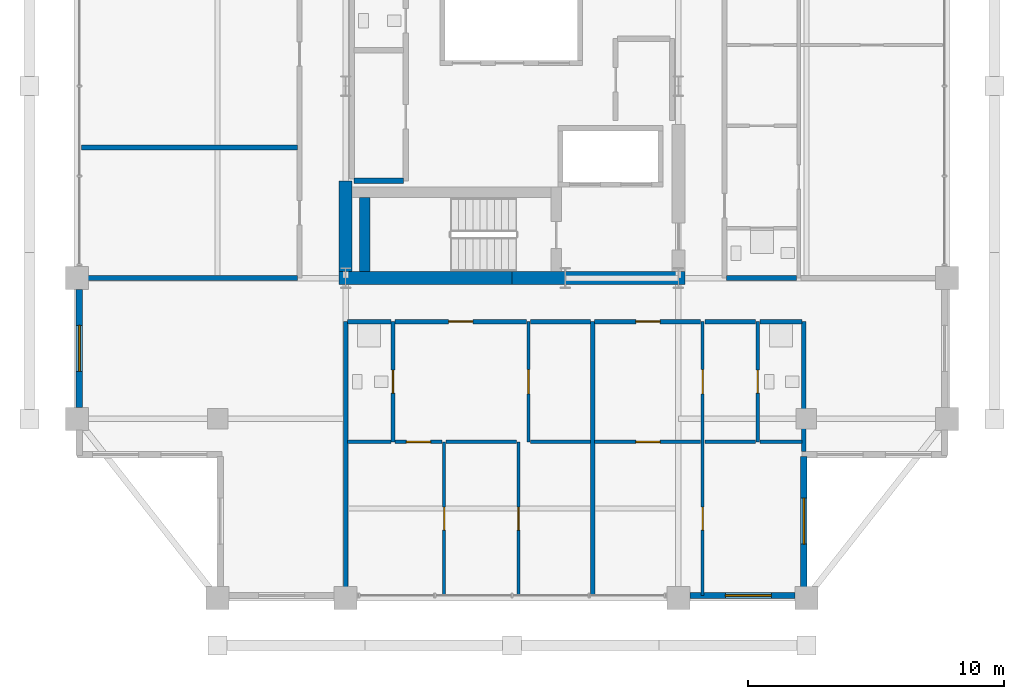
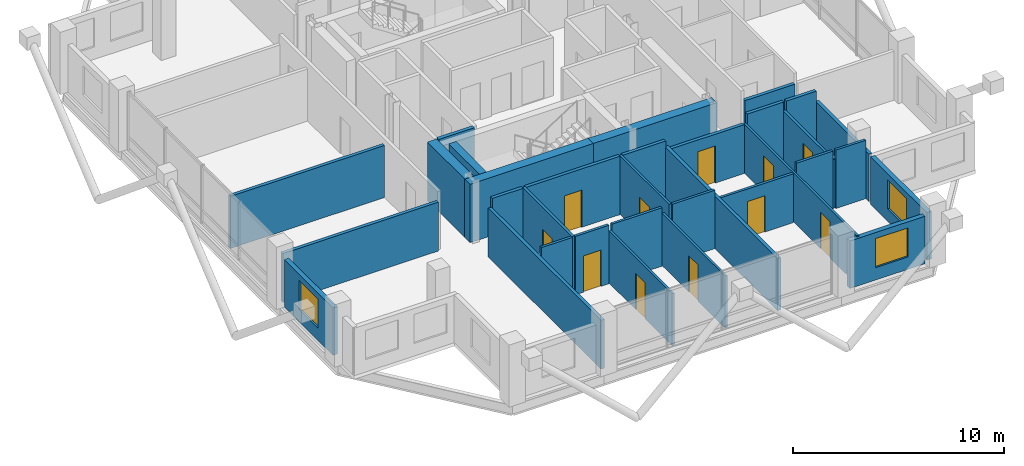
# One storey, part 18 of 23: 33 walls, 11 doors, 3 windows, 14 openings.
"""IFC4 building model written with IfcOpenShell, lengths in metres."""

from ifc_helpers import new_model, si_unit, direction, frame, frame_2d, origin, place, context, subcontext, project, spatial, rectangle, extrude, material, layer, layer_set, type_object, element, fill, save


model = new_model("IFC4")

# Units and contexts
model_context = context("Model", 3, precision=1e-05, world=origin(), true_north=direction((0.0, 1.0)))
body_context = subcontext(model_context, "Body", "Model", "MODEL_VIEW")
ifc_project = project(units=[si_unit("LENGTHUNIT", "METRE"), si_unit("AREAUNIT", "SQUARE_METRE"), si_unit("VOLUMEUNIT", "CUBIC_METRE"), si_unit("PLANEANGLEUNIT", "RADIAN"), si_unit("MASSUNIT", "GRAM", prefix="KILO")], contexts=[model_context])

# Site, building, storey
site_placement = place(None, origin())
site = spatial("IfcSite", under=ifc_project, at=site_placement, CompositionType="ELEMENT")
building_placement = place(site_placement, origin())
building = spatial("IfcBuilding", under=site, at=building_placement, Name="Barlavira Tower and Art Museum", CompositionType="ELEMENT")
storey_placement = place(building_placement, frame((0.0, 0.0, 236.699951171875)))
storey = spatial("IfcBuildingStorey", under=building, at=storey_placement, Name="L61", CompositionType="ELEMENT", Elevation=236.699951171875)

# Wall, opening, door
ifc_material_1 = material(Name="Gypsum acoustic stud partition", Category="gypsum")
ifc_layer_1 = layer(ifc_material_1, 0.1201171875, Name="Gypsum acoustic stud partition")
ifc_layer_set_1 = layer_set([ifc_layer_1], Name="Gypsum acoustic stud partition")
wall_type_1 = type_object("IfcWallType", Name="Apartment Internal Acoustic Partition 120", PredefinedType="PARTITIONING", material=ifc_layer_set_1)
wall_1_placement = place(storey_placement, frame((-2.64990234375, -19.89990234375, 0.0), z_axis=(0.0, 0.0, 1.0), x_axis=(0.0, 1.0, 0.0)))
wall_1 = element("IfcWall", 1, at=wall_1_placement, inside=storey, type_object=wall_type_1, Name="L61 Partition Wall 9", PredefinedType="PARTITIONING", context=body_context, shape_type="SweptSolid", body=[
    extrude(rectangle(XDim=6.0, YDim=0.1201171875, at=frame_2d((3.0, 0.0))), origin(), (0.0, 0.0, 1.0), 3.01806640625),
])
opening_1_placement = place(wall_1_placement, frame((2.550048828125, 0.0, 0.0)))
opening_1 = element("IfcOpeningElement", 2, at=opening_1_placement, cuts=wall_1, Name="Opening D-01", PredefinedType="OPENING", context=body_context, shape_type="SweptSolid", body=[
    extrude(rectangle(XDim=0.89990234375, YDim=2.10009765625, at=frame_2d((0.449951171875, 1.050048828125))), frame((0.0, 0.070068359375, 0.0), z_axis=(0.0, -1.0, 0.0), x_axis=(1.0, 0.0, 0.0)), (0.0, 0.0, 1.0), 0.14013671875),
])
ifc_material_2 = material(Name="Engineered coastal hardwood", Category="wood")
door_type_1 = type_object("IfcDoorType", Name="Internal Bedroom Timber Flush Door 900x2100", OperationType="NOTDEFINED", PredefinedType="DOOR", material=ifc_material_2)
door_1_placement = place(opening_1_placement, origin())
door_1 = element("IfcDoor", 3, at=door_1_placement, inside=storey, type_object=door_type_1, Name="Apartment S1 Bedroom 1 Door", OperationType="SINGLE_SWING_RIGHT", OverallHeight=2.10009765625, OverallWidth=0.89990234375, PredefinedType="DOOR", context=body_context, shape_type="SweptSolid", body=[
    extrude(rectangle(XDim=0.89990234375, YDim=2.10009765625, at=frame_2d((0.449951171875, 1.050048828125))), frame((0.0, 0.02490234375, 0.0), z_axis=(0.0, -1.0, 0.0), x_axis=(1.0, 0.0, 0.0)), (0.0, 0.0, 1.0), 0.050048828125),
])
fill(opening_1, door_1)

wall_2_placement = place(storey_placement, frame((0.25, -19.89990234375, 0.0), z_axis=(0.0, 0.0, 1.0), x_axis=(0.0, 1.0, 0.0)))
wall_2 = element("IfcWall", 4, at=wall_2_placement, inside=storey, type_object=wall_type_1, Name="L61 Partition Wall 11", PredefinedType="PARTITIONING", context=body_context, shape_type="SweptSolid", body=[
    extrude(rectangle(XDim=6.0, YDim=0.1201171875, at=frame_2d((3.0, 0.0))), origin(), (0.0, 0.0, 1.0), 3.01806640625),
])
opening_2_placement = place(wall_2_placement, frame((2.550048828125, 0.0, 0.0)))
opening_2 = element("IfcOpeningElement", 5, at=opening_2_placement, cuts=wall_2, Name="Opening D-01", PredefinedType="OPENING", context=body_context, shape_type="SweptSolid", body=[
    extrude(rectangle(XDim=0.89990234375, YDim=2.10009765625, at=frame_2d((0.449951171875, 1.050048828125))), frame((0.0, 0.070068359375, 0.0), z_axis=(0.0, -1.0, 0.0), x_axis=(1.0, 0.0, 0.0)), (0.0, 0.0, 1.0), 0.14013671875),
])
door_2_placement = place(opening_2_placement, origin())
door_2 = element("IfcDoor", 6, at=door_2_placement, inside=storey, type_object=door_type_1, Name="Apartment S1 Bedroom 2 Door", OperationType="SINGLE_SWING_LEFT", OverallHeight=2.10009765625, OverallWidth=0.89990234375, PredefinedType="DOOR", context=body_context, shape_type="SweptSolid", body=[
    extrude(rectangle(XDim=0.89990234375, YDim=2.10009765625, at=frame_2d((0.449951171875, 1.050048828125))), frame((0.0, 0.02490234375, 0.0), z_axis=(0.0, -1.0, 0.0), x_axis=(1.0, 0.0, 0.0)), (0.0, 0.0, 1.0), 0.050048828125),
])
fill(opening_2, door_2)

wall_3_placement = place(storey_placement, frame((0.64990234375, -13.89990234375, 0.0), z_axis=(0.0, 0.0, 1.0), x_axis=(0.0, 1.0, 0.0)))
wall_3 = element("IfcWall", 7, at=wall_3_placement, inside=storey, type_object=wall_type_1, Name="L61 Partition Wall 13", PredefinedType="PARTITIONING", context=body_context, shape_type="SweptSolid", body=[
    extrude(rectangle(XDim=4.699951171875, YDim=0.1201171875, at=frame_2d((2.35009765625, 0.0))), origin(), (0.0, 0.0, 1.0), 3.380126953125),
])
opening_3_placement = place(wall_3_placement, frame((1.875, 0.0, 0.0)))
opening_3 = element("IfcOpeningElement", 8, at=opening_3_placement, cuts=wall_3, Name="Opening D-02", PredefinedType="OPENING", context=body_context, shape_type="SweptSolid", body=[
    extrude(rectangle(XDim=0.949951171875, YDim=2.10009765625, at=frame_2d((0.47509765625, 1.050048828125))), frame((0.0, 0.070068359375, 0.0), z_axis=(0.0, -1.0, 0.0), x_axis=(1.0, 0.0, 0.0)), (0.0, 0.0, 1.0), 0.14013671875),
])
door_type_2 = type_object("IfcDoorType", Name="Living and Salon Glazed-Leaf Door 950x2100", OperationType="NOTDEFINED", PredefinedType="DOOR", material=ifc_material_2)
door_3_placement = place(opening_3_placement, origin())
door_3 = element("IfcDoor", 9, at=door_3_placement, inside=storey, type_object=door_type_2, Name="Apartment S1 Kitchen Door", OperationType="SINGLE_SWING_RIGHT", OverallHeight=2.10009765625, OverallWidth=0.949951171875, PredefinedType="DOOR", context=body_context, shape_type="SweptSolid", body=[
    extrude(rectangle(XDim=0.949951171875, YDim=2.10009765625, at=frame_2d((0.47509765625, 1.050048828125))), frame((0.0, 0.02490234375, 0.0), z_axis=(0.0, -1.0, 0.0), x_axis=(1.0, 0.0, 0.0)), (0.0, 0.0, 1.0), 0.050048828125),
])
fill(opening_3, door_3)

# Wall, openings, doors
wall_4_placement = place(storey_placement, frame((7.449951171875, -19.89990234375, 0.0), z_axis=(0.0, 0.0, 1.0), x_axis=(0.0, 1.0, 0.0)))
wall_4 = element("IfcWall", 10, at=wall_4_placement, inside=storey, type_object=wall_type_1, Name="L61 Partition Wall 20", PredefinedType="PARTITIONING", context=body_context, shape_type="SweptSolid", body=[
    extrude(rectangle(XDim=10.699951171875, YDim=0.1201171875, at=frame_2d((5.35009765625, 0.0))), origin(), (0.0, 0.0, 1.0), 2.825927734375),
])
opening_4_placement = place(wall_4_placement, frame((7.875, 0.0, 0.0)))
opening_4 = element("IfcOpeningElement", 11, at=opening_4_placement, cuts=wall_4, Name="Opening D-02", PredefinedType="OPENING", context=body_context, shape_type="SweptSolid", body=[
    extrude(rectangle(XDim=0.949951171875, YDim=2.10009765625, at=frame_2d((0.47509765625, 1.050048828125))), frame((0.0, 0.070068359375, 0.0), z_axis=(0.0, -1.0, 0.0), x_axis=(1.0, 0.0, 0.0)), (0.0, 0.0, 1.0), 0.14013671875),
])
opening_5_placement = place(wall_4_placement, frame((2.550048828125, 0.0, 0.0)))
opening_5 = element("IfcOpeningElement", 12, at=opening_5_placement, cuts=wall_4, Name="Opening D-01", PredefinedType="OPENING", context=body_context, shape_type="SweptSolid", body=[
    extrude(rectangle(XDim=0.89990234375, YDim=2.10009765625, at=frame_2d((0.449951171875, 1.050048828125))), frame((0.0, 0.070068359375, 0.0), z_axis=(0.0, -1.0, 0.0), x_axis=(1.0, 0.0, 0.0)), (0.0, 0.0, 1.0), 0.14013671875),
])
door_4_placement = place(opening_5_placement, origin())
door_4 = element("IfcDoor", 13, at=door_4_placement, inside=storey, type_object=door_type_1, Name="Apartment S2 Bedroom 1 Door", OperationType="SINGLE_SWING_RIGHT", OverallHeight=2.10009765625, OverallWidth=0.89990234375, PredefinedType="DOOR", context=body_context, shape_type="SweptSolid", body=[
    extrude(rectangle(XDim=0.89990234375, YDim=2.10009765625, at=frame_2d((0.449951171875, 1.050048828125))), frame((0.0, 0.02490234375, 0.0), z_axis=(0.0, -1.0, 0.0), x_axis=(1.0, 0.0, 0.0)), (0.0, 0.0, 1.0), 0.050048828125),
])
fill(opening_5, door_4)
door_5_placement = place(opening_4_placement, origin())
door_5 = element("IfcDoor", 14, at=door_5_placement, inside=storey, type_object=door_type_2, Name="Apartment S2 Kitchen Door", OperationType="SINGLE_SWING_LEFT", OverallHeight=2.10009765625, OverallWidth=0.949951171875, PredefinedType="DOOR", context=body_context, shape_type="SweptSolid", body=[
    extrude(rectangle(XDim=0.949951171875, YDim=2.10009765625, at=frame_2d((0.47509765625, 1.050048828125))), frame((0.0, 0.02490234375, 0.0), z_axis=(0.0, -1.0, 0.0), x_axis=(1.0, 0.0, 0.0)), (0.0, 0.0, 1.0), 0.050048828125),
])
fill(opening_4, door_5)

# Walls
ifc_material_3 = material(Name="Concrete C60", Category="concrete")
ifc_layer_2 = layer(ifc_material_3, 0.5, Name="Concrete C60")
ifc_layer_set_2 = layer_set([ifc_layer_2], Name="Concrete C60")
wall_type_2 = type_object("IfcWallType", Name="Core Structural Shear Wall 500 Concrete C60", PredefinedType="SHEAR", material=ifc_layer_set_2)
for number, where, z_axis, x_axis, name in (
    (15, (-6.75, -7.5, 0.0), (0.0, 0.0, 1.0), (1.0, 0.0, 0.0), "L61 Core Shear Wall CS-SW"),
    (16, (0.0, -7.5, 0.0), (0.0, 0.0, 1.0), (1.0, 0.0, 0.0), "L61 Core Shear Wall CS-SE"),
):
    element("IfcWall", number, at=place(storey_placement, frame(where, z_axis=z_axis, x_axis=x_axis)), inside=storey, type_object=wall_type_2, Name=name, PredefinedType="SHEAR", context=body_context, shape_type="SweptSolid", body=[
        extrude(rectangle(XDim=6.75, YDim=0.5, at=frame_2d((3.375, 0.0))), origin(), (0.0, 0.0, 1.0), 3.380126953125),
    ])
wall_5_placement = place(storey_placement, frame((-6.5, -7.25, 0.0), z_axis=(0.0, 0.0, 1.0), x_axis=(0.0, 1.0, 0.0)))
element("IfcWall", 17, at=wall_5_placement, inside=storey, type_object=wall_type_2, Name="L61 Core Shear Wall CS-W1", PredefinedType="SHEAR", context=body_context, shape_type="SweptSolid", body=[
    extrude(rectangle(XDim=3.550048828125, YDim=0.5, at=frame_2d((1.77490234375, 0.0))), origin(), (0.0, 0.0, 1.0), 3.380126953125),
])
ifc_material_4 = material(Name="Autoclaved aerated concrete masonry", Category="masonry")
ifc_layer_3 = layer(ifc_material_4, 0.199951171875, Name="Autoclaved aerated concrete masonry")
ifc_layer_set_3 = layer_set([ifc_layer_3], Name="Autoclaved aerated concrete masonry")
wall_type_3 = type_object("IfcWallType", Name="Fire Compartment and Shaft Wall 200", PredefinedType="SOLIDWALL", material=ifc_layer_set_3)
wall_6_placement = place(storey_placement, frame((-6.169921875, -3.699951171875, 0.0), z_axis=(0.0, 0.0, 1.0), x_axis=(1.0, 0.0, 0.0)))
element("IfcWall", 18, at=wall_6_placement, inside=storey, type_object=wall_type_3, Name="L61 Partition Wall 44", PredefinedType="SOLIDWALL", context=body_context, shape_type="SweptSolid", body=[
    extrude(rectangle(XDim=1.93994140625, YDim=0.199951171875, at=frame_2d((0.969970703125, 0.0))), origin(), (0.0, 0.0, 1.0), 3.380126953125),
])
ifc_layer_4 = layer(ifc_material_1, 0.179931640625, Name="Gypsum acoustic stud partition")
ifc_layer_set_4 = layer_set([ifc_layer_4], Name="Gypsum acoustic stud partition")
wall_type_4 = type_object("IfcWallType", Name="Inter-Tenancy Party Partition Wall 180", PredefinedType="PARTITIONING", material=ifc_layer_set_4)
wall_7_placement = place(storey_placement, frame((-6.5, -19.89990234375, 0.0), z_axis=(0.0, 0.0, 1.0), x_axis=(0.0, 1.0, 0.0)))
element("IfcWall", 19, at=wall_7_placement, inside=storey, type_object=wall_type_4, Name="L61 Partition Wall 2", PredefinedType="PARTITIONING", context=body_context, shape_type="SweptSolid", body=[
    extrude(rectangle(XDim=10.699951171875, YDim=0.179931640625, at=frame_2d((5.35009765625, 0.0))), origin(), (0.0, 0.0, 1.0), 2.825927734375),
])
wall_8_placement = place(storey_placement, frame((3.14990234375, -19.89990234375, 0.0), z_axis=(0.0, 0.0, 1.0), x_axis=(0.0, 1.0, 0.0)))
element("IfcWall", 20, at=wall_8_placement, inside=storey, type_object=wall_type_4, Name="L61 Partition Wall 15", PredefinedType="PARTITIONING", context=body_context, shape_type="SweptSolid", body=[
    extrude(rectangle(XDim=10.699951171875, YDim=0.179931640625, at=frame_2d((5.35009765625, 0.0))), origin(), (0.0, 0.0, 1.0), 3.01806640625),
])
wall_9_placement = place(storey_placement, frame((11.39990234375, -14.27001953125, 0.0), z_axis=(0.0, 0.0, 1.0), x_axis=(0.0, 1.0, 0.0)))
element("IfcWall", 21, at=wall_9_placement, inside=storey, type_object=wall_type_4, Name="L61 Partition Wall 25", PredefinedType="PARTITIONING", context=body_context, shape_type="SweptSolid", body=[
    extrude(rectangle(XDim=5.070068359375, YDim=0.179931640625, at=frame_2d((2.53515625, 0.0))), origin(), (0.0, 0.0, 1.0), 2.748046875),
])
wall_10_placement = place(storey_placement, frame((-6.419921875, -9.199951171875, 0.0), z_axis=(0.0, 0.0, 1.0), x_axis=(1.0, 0.0, 0.0)))
element("IfcWall", 22, at=wall_10_placement, inside=storey, type_object=wall_type_4, Name="L61 Partition Wall 34", PredefinedType="PARTITIONING", context=body_context, shape_type="SweptSolid", body=[
    extrude(rectangle(XDim=1.68994140625, YDim=0.179931640625, at=frame_2d((0.844970703125, 0.0))), origin(), (0.0, 0.0, 1.0), 3.380126953125),
])

# Wall, opening, door
wall_11_placement = place(storey_placement, frame((-4.570068359375, -9.199951171875, 0.0), z_axis=(0.0, 0.0, 1.0), x_axis=(1.0, 0.0, 0.0)))
wall_11 = element("IfcWall", 23, at=wall_11_placement, inside=storey, type_object=wall_type_4, Name="L61 Partition Wall 35", PredefinedType="PARTITIONING", context=body_context, shape_type="SweptSolid", body=[
    extrude(rectangle(XDim=5.14013671875, YDim=0.179931640625, at=frame_2d((2.570068359375, 0.0))), origin(), (0.0, 0.0, 1.0), 3.380126953125),
])
opening_6_placement = place(wall_11_placement, frame((2.094970703125, 0.0, 0.0)))
opening_6 = element("IfcOpeningElement", 24, at=opening_6_placement, cuts=wall_11, Name="Opening FD-60", PredefinedType="OPENING", context=body_context, shape_type="SweptSolid", body=[
    extrude(rectangle(XDim=0.949951171875, YDim=2.14990234375, at=frame_2d((0.47509765625, 1.074951171875))), frame((0.0, 0.10009765625, 0.0), z_axis=(0.0, -1.0, 0.0), x_axis=(1.0, 0.0, 0.0)), (0.0, 0.0, 1.0), 0.199951171875),
])
ifc_material_5 = material(Name="Brushed stainless steel", Category="steel")
door_type_3 = type_object("IfcDoorType", Name="Apartment Entrance and Riser Fire Door 950x2150 FD60S", OperationType="NOTDEFINED", PredefinedType="DOOR", material=ifc_material_5)
door_6_placement = place(opening_6_placement, origin())
door_6 = element("IfcDoor", 25, at=door_6_placement, inside=storey, type_object=door_type_3, Name="Apartment Entrance Hall S1 Door", OperationType="SINGLE_SWING_LEFT", OverallHeight=2.14990234375, OverallWidth=0.949951171875, PredefinedType="DOOR", context=body_context, shape_type="SweptSolid", body=[
    extrude(rectangle(XDim=0.949951171875, YDim=2.14990234375, at=frame_2d((0.47509765625, 1.074951171875))), frame((0.0, 0.02490234375, 0.0), z_axis=(0.0, -1.0, 0.0), x_axis=(1.0, 0.0, 0.0)), (0.0, 0.0, 1.0), 0.050048828125),
])
fill(opening_6, door_6)

# Wall
wall_12_placement = place(storey_placement, frame((0.72998046875, -9.199951171875, 0.0), z_axis=(0.0, 0.0, 1.0), x_axis=(1.0, 0.0, 0.0)))
element("IfcWall", 26, at=wall_12_placement, inside=storey, type_object=wall_type_4, Name="L61 Partition Wall 36", PredefinedType="PARTITIONING", context=body_context, shape_type="SweptSolid", body=[
    extrude(rectangle(XDim=2.340087890625, YDim=0.179931640625, at=frame_2d((1.169921875, 0.0))), origin(), (0.0, 0.0, 1.0), 3.380126953125),
])

# Wall, opening, door
wall_13_placement = place(storey_placement, frame((3.22998046875, -9.199951171875, 0.0), z_axis=(0.0, 0.0, 1.0), x_axis=(1.0, 0.0, 0.0)))
wall_13 = element("IfcWall", 27, at=wall_13_placement, inside=storey, type_object=wall_type_4, Name="L61 Partition Wall 37", PredefinedType="PARTITIONING", context=body_context, shape_type="SweptSolid", body=[
    extrude(rectangle(XDim=4.14013671875, YDim=0.179931640625, at=frame_2d((2.070068359375, 0.0))), origin(), (0.0, 0.0, 1.0), 2.825927734375),
])
opening_7_placement = place(wall_13_placement, frame((1.60498046875, 0.0, 0.0)))
opening_7 = element("IfcOpeningElement", 28, at=opening_7_placement, cuts=wall_13, Name="Opening FD-60", PredefinedType="OPENING", context=body_context, shape_type="SweptSolid", body=[
    extrude(rectangle(XDim=0.949951171875, YDim=2.14990234375, at=frame_2d((0.47509765625, 1.074951171875))), frame((0.0, 0.10009765625, 0.0), z_axis=(0.0, -1.0, 0.0), x_axis=(1.0, 0.0, 0.0)), (0.0, 0.0, 1.0), 0.199951171875),
])
door_7_placement = place(opening_7_placement, origin())
door_7 = element("IfcDoor", 29, at=door_7_placement, inside=storey, type_object=door_type_3, Name="Apartment Entrance Hall S2 Door", OperationType="SINGLE_SWING_RIGHT", OverallHeight=2.14990234375, OverallWidth=0.949951171875, PredefinedType="DOOR", context=body_context, shape_type="SweptSolid", body=[
    extrude(rectangle(XDim=0.949951171875, YDim=2.14990234375, at=frame_2d((0.47509765625, 1.074951171875))), frame((0.0, 0.02490234375, 0.0), z_axis=(0.0, -1.0, 0.0), x_axis=(1.0, 0.0, 0.0)), (0.0, 0.0, 1.0), 0.050048828125),
])
fill(opening_7, door_7)

# Walls
wall_14_placement = place(storey_placement, frame((7.530029296875, -9.199951171875, 0.0), z_axis=(0.0, 0.0, 1.0), x_axis=(1.0, 0.0, 0.0)))
element("IfcWall", 30, at=wall_14_placement, inside=storey, type_object=wall_type_4, Name="L61 Partition Wall 38", PredefinedType="PARTITIONING", context=body_context, shape_type="SweptSolid", body=[
    extrude(rectangle(XDim=1.989990234375, YDim=0.179931640625, at=frame_2d((0.9951171875, 0.0))), origin(), (0.0, 0.0, 1.0), 3.380126953125),
])
wall_15_placement = place(storey_placement, frame((9.679931640625, -9.199951171875, 0.0), z_axis=(0.0, 0.0, 1.0), x_axis=(1.0, 0.0, 0.0)))
element("IfcWall", 31, at=wall_15_placement, inside=storey, type_object=wall_type_4, Name="L61 Partition Wall 39", PredefinedType="PARTITIONING", context=body_context, shape_type="SweptSolid", body=[
    extrude(rectangle(XDim=1.64013671875, YDim=0.179931640625, at=frame_2d((0.820068359375, 0.0))), origin(), (0.0, 0.0, 1.0), 3.380126953125),
])
wall_16_placement = place(storey_placement, frame((-16.89990234375, -7.5, 0.0), z_axis=(0.0, 0.0, 1.0), x_axis=(1.0, 0.0, 0.0)))
element("IfcWall", 32, at=wall_16_placement, inside=storey, type_object=wall_type_4, Name="L61 Partition Wall 40", PredefinedType="PARTITIONING", context=body_context, shape_type="SweptSolid", body=[
    extrude(rectangle(XDim=8.52001953125, YDim=0.179931640625, at=frame_2d((4.260009765625, 0.0))), origin(), (0.0, 0.0, 1.0), 2.825927734375),
])
wall_17_placement = place(storey_placement, frame((8.3798828125, -7.5, 0.0), z_axis=(0.0, 0.0, 1.0), x_axis=(1.0, 0.0, 0.0)))
element("IfcWall", 33, at=wall_17_placement, inside=storey, type_object=wall_type_4, Name="L61 Partition Wall 41", PredefinedType="PARTITIONING", context=body_context, shape_type="SweptSolid", body=[
    extrude(rectangle(XDim=2.740234375, YDim=0.179931640625, at=frame_2d((1.3701171875, 0.0))), origin(), (0.0, 0.0, 1.0), 2.825927734375),
])
wall_18_placement = place(storey_placement, frame((-16.820068359375, -2.39990234375, 0.0), z_axis=(0.0, 0.0, 1.0), x_axis=(1.0, 0.0, 0.0)))
element("IfcWall", 34, at=wall_18_placement, inside=storey, type_object=wall_type_4, Name="L61 Partition Wall 45", PredefinedType="PARTITIONING", context=body_context, shape_type="SweptSolid", body=[
    extrude(rectangle(XDim=8.440185546875, YDim=0.179931640625, at=frame_2d((4.22021484375, 0.0))), origin(), (0.0, 0.0, 1.0), 3.01806640625),
])

# Wall, opening, door
ifc_layer_5 = layer(ifc_material_1, 0.139892578125, Name="Gypsum acoustic stud partition")
ifc_layer_set_5 = layer_set([ifc_layer_5], Name="Gypsum acoustic stud partition")
wall_type_5 = type_object("IfcWallType", Name="Moisture-Resistant Bathroom Partition 140", PredefinedType="PARTITIONING", material=ifc_layer_set_5)
wall_19_placement = place(storey_placement, frame((-4.64990234375, -13.89990234375, 0.0), z_axis=(0.0, 0.0, 1.0), x_axis=(0.0, 1.0, 0.0)))
wall_19 = element("IfcWall", 35, at=wall_19_placement, inside=storey, type_object=wall_type_5, Name="L61 Partition Wall 6", PredefinedType="PARTITIONING", context=body_context, shape_type="SweptSolid", body=[
    extrude(rectangle(XDim=4.699951171875, YDim=0.139892578125, at=frame_2d((2.35009765625, 0.0))), origin(), (0.0, 0.0, 1.0), 3.380126953125),
])
opening_8_placement = place(wall_19_placement, frame((1.89990234375, 0.0, 0.0)))
opening_8 = element("IfcOpeningElement", 36, at=opening_8_placement, cuts=wall_19, Name="Opening D-WC", PredefinedType="OPENING", context=body_context, shape_type="SweptSolid", body=[
    extrude(rectangle(XDim=0.89990234375, YDim=2.10009765625, at=frame_2d((0.449951171875, 1.050048828125))), frame((0.0, 0.080078125, 0.0), z_axis=(0.0, -1.0, 0.0), x_axis=(1.0, 0.0, 0.0)), (0.0, 0.0, 1.0), 0.159912109375),
])
door_type_4 = type_object("IfcDoorType", Name="Accessible Bathroom Flush Door 900x2100", OperationType="NOTDEFINED", PredefinedType="DOOR", material=ifc_material_2)
door_8_placement = place(opening_8_placement, origin())
door_8 = element("IfcDoor", 37, at=door_8_placement, inside=storey, type_object=door_type_4, Name="Apartment S1 Hall Bathroom Door", OperationType="SINGLE_SWING_RIGHT", OverallHeight=2.10009765625, OverallWidth=0.89990234375, PredefinedType="DOOR", context=body_context, shape_type="SweptSolid", body=[
    extrude(rectangle(XDim=0.89990234375, YDim=2.10009765625, at=frame_2d((0.449951171875, 1.050048828125))), frame((0.0, 0.02490234375, 0.0), z_axis=(0.0, -1.0, 0.0), x_axis=(1.0, 0.0, 0.0)), (0.0, 0.0, 1.0), 0.050048828125),
])
fill(opening_8, door_8)

wall_20_placement = place(storey_placement, frame((9.60009765625, -13.89990234375, 0.0), z_axis=(0.0, 0.0, 1.0), x_axis=(0.0, 1.0, 0.0)))
wall_20 = element("IfcWall", 38, at=wall_20_placement, inside=storey, type_object=wall_type_5, Name="L61 Partition Wall 22", PredefinedType="PARTITIONING", context=body_context, shape_type="SweptSolid", body=[
    extrude(rectangle(XDim=4.699951171875, YDim=0.139892578125, at=frame_2d((2.35009765625, 0.0))), origin(), (0.0, 0.0, 1.0), 2.825927734375),
])
opening_9_placement = place(wall_20_placement, frame((1.89990234375, 0.0, 0.0)))
opening_9 = element("IfcOpeningElement", 39, at=opening_9_placement, cuts=wall_20, Name="Opening D-WC", PredefinedType="OPENING", context=body_context, shape_type="SweptSolid", body=[
    extrude(rectangle(XDim=0.89990234375, YDim=2.10009765625, at=frame_2d((0.449951171875, 1.050048828125))), frame((0.0, 0.080078125, 0.0), z_axis=(0.0, -1.0, 0.0), x_axis=(1.0, 0.0, 0.0)), (0.0, 0.0, 1.0), 0.159912109375),
])
door_9_placement = place(opening_9_placement, origin())
door_9 = element("IfcDoor", 40, at=door_9_placement, inside=storey, type_object=door_type_4, Name="Apartment S2 Hall Bathroom Door", OperationType="SINGLE_SWING_RIGHT", OverallHeight=2.10009765625, OverallWidth=0.89990234375, PredefinedType="DOOR", context=body_context, shape_type="SweptSolid", body=[
    extrude(rectangle(XDim=0.89990234375, YDim=2.10009765625, at=frame_2d((0.449951171875, 1.050048828125))), frame((0.0, 0.02490234375, 0.0), z_axis=(0.0, -1.0, 0.0), x_axis=(1.0, 0.0, 0.0)), (0.0, 0.0, 1.0), 0.050048828125),
])
fill(opening_9, door_9)

# Wall
wall_21_placement = place(storey_placement, frame((-6.419921875, -13.89990234375, 0.0), z_axis=(0.0, 0.0, 1.0), x_axis=(1.0, 0.0, 0.0)))
element("IfcWall", 41, at=wall_21_placement, inside=storey, type_object=wall_type_5, Name="L61 Partition Wall 27", PredefinedType="PARTITIONING", context=body_context, shape_type="SweptSolid", body=[
    extrude(rectangle(XDim=1.68994140625, YDim=0.139892578125, at=frame_2d((0.844970703125, 0.0))), origin(), (0.0, 0.0, 1.0), 3.380126953125),
])

# Wall, opening, door
wall_22_placement = place(storey_placement, frame((-4.570068359375, -13.89990234375, 0.0), z_axis=(0.0, 0.0, 1.0), x_axis=(1.0, 0.0, 0.0)))
wall_22 = element("IfcWall", 42, at=wall_22_placement, inside=storey, type_object=wall_type_5, Name="L61 Partition Wall 28", PredefinedType="PARTITIONING", context=body_context, shape_type="SweptSolid", body=[
    extrude(rectangle(XDim=1.840087890625, YDim=0.139892578125, at=frame_2d((0.919921875, 0.0))), origin(), (0.0, 0.0, 1.0), 3.380126953125),
])
opening_10_placement = place(wall_22_placement, frame((0.445068359375, 0.0, 0.0)))
opening_10 = element("IfcOpeningElement", 43, at=opening_10_placement, cuts=wall_22, Name="Opening D-02", PredefinedType="OPENING", context=body_context, shape_type="SweptSolid", body=[
    extrude(rectangle(XDim=0.949951171875, YDim=2.10009765625, at=frame_2d((0.47509765625, 1.050048828125))), frame((0.0, 0.080078125, 0.0), z_axis=(0.0, -1.0, 0.0), x_axis=(1.0, 0.0, 0.0)), (0.0, 0.0, 1.0), 0.159912109375),
])
door_10_placement = place(opening_10_placement, origin())
door_10 = element("IfcDoor", 44, at=door_10_placement, inside=storey, type_object=door_type_2, Name="Apartment S1 Living Lounge Door", OperationType="SINGLE_SWING_LEFT", OverallHeight=2.10009765625, OverallWidth=0.949951171875, PredefinedType="DOOR", context=body_context, shape_type="SweptSolid", body=[
    extrude(rectangle(XDim=0.949951171875, YDim=2.10009765625, at=frame_2d((0.47509765625, 1.050048828125))), frame((0.0, 0.02490234375, 0.0), z_axis=(0.0, -1.0, 0.0), x_axis=(1.0, 0.0, 0.0)), (0.0, 0.0, 1.0), 0.050048828125),
])
fill(opening_10, door_10)

# Walls
wall_23_placement = place(storey_placement, frame((-2.570068359375, -13.89990234375, 0.0), z_axis=(0.0, 0.0, 1.0), x_axis=(1.0, 0.0, 0.0)))
element("IfcWall", 45, at=wall_23_placement, inside=storey, type_object=wall_type_5, Name="L61 Partition Wall 29", PredefinedType="PARTITIONING", context=body_context, shape_type="SweptSolid", body=[
    extrude(rectangle(XDim=2.739990234375, YDim=0.139892578125, at=frame_2d((1.3701171875, 0.0))), origin(), (0.0, 0.0, 1.0), 3.380126953125),
])
wall_24_placement = place(storey_placement, frame((0.72998046875, -13.89990234375, 0.0), z_axis=(0.0, 0.0, 1.0), x_axis=(1.0, 0.0, 0.0)))
element("IfcWall", 46, at=wall_24_placement, inside=storey, type_object=wall_type_5, Name="L61 Partition Wall 30", PredefinedType="PARTITIONING", context=body_context, shape_type="SweptSolid", body=[
    extrude(rectangle(XDim=2.340087890625, YDim=0.139892578125, at=frame_2d((1.169921875, 0.0))), origin(), (0.0, 0.0, 1.0), 3.380126953125),
])

# Wall, opening, door
wall_25_placement = place(storey_placement, frame((3.22998046875, -13.89990234375, 0.0), z_axis=(0.0, 0.0, 1.0), x_axis=(1.0, 0.0, 0.0)))
wall_25 = element("IfcWall", 47, at=wall_25_placement, inside=storey, type_object=wall_type_5, Name="L61 Partition Wall 31", PredefinedType="PARTITIONING", context=body_context, shape_type="SweptSolid", body=[
    extrude(rectangle(XDim=4.14013671875, YDim=0.139892578125, at=frame_2d((2.070068359375, 0.0))), origin(), (0.0, 0.0, 1.0), 2.825927734375),
])
opening_11_placement = place(wall_25_placement, frame((1.60498046875, 0.0, 0.0)))
opening_11 = element("IfcOpeningElement", 48, at=opening_11_placement, cuts=wall_25, Name="Opening D-02", PredefinedType="OPENING", context=body_context, shape_type="SweptSolid", body=[
    extrude(rectangle(XDim=0.949951171875, YDim=2.10009765625, at=frame_2d((0.47509765625, 1.050048828125))), frame((0.0, 0.080078125, 0.0), z_axis=(0.0, -1.0, 0.0), x_axis=(1.0, 0.0, 0.0)), (0.0, 0.0, 1.0), 0.159912109375),
])
door_11_placement = place(opening_11_placement, origin())
door_11 = element("IfcDoor", 49, at=door_11_placement, inside=storey, type_object=door_type_2, Name="Apartment S2 Living Lounge Door", OperationType="SINGLE_SWING_LEFT", OverallHeight=2.10009765625, OverallWidth=0.949951171875, PredefinedType="DOOR", context=body_context, shape_type="SweptSolid", body=[
    extrude(rectangle(XDim=0.949951171875, YDim=2.10009765625, at=frame_2d((0.47509765625, 1.050048828125))), frame((0.0, 0.02490234375, 0.0), z_axis=(0.0, -1.0, 0.0), x_axis=(1.0, 0.0, 0.0)), (0.0, 0.0, 1.0), 0.050048828125),
])
fill(opening_11, door_11)

# Walls
wall_26_placement = place(storey_placement, frame((7.530029296875, -13.89990234375, 0.0), z_axis=(0.0, 0.0, 1.0), x_axis=(1.0, 0.0, 0.0)))
element("IfcWall", 50, at=wall_26_placement, inside=storey, type_object=wall_type_5, Name="L61 Partition Wall 32", PredefinedType="PARTITIONING", context=body_context, shape_type="SweptSolid", body=[
    extrude(rectangle(XDim=1.989990234375, YDim=0.139892578125, at=frame_2d((0.9951171875, 0.0))), origin(), (0.0, 0.0, 1.0), 3.380126953125),
])
wall_27_placement = place(storey_placement, frame((9.679931640625, -13.89990234375, 0.0), z_axis=(0.0, 0.0, 1.0), x_axis=(1.0, 0.0, 0.0)))
element("IfcWall", 51, at=wall_27_placement, inside=storey, type_object=wall_type_5, Name="L61 Partition Wall 33", PredefinedType="PARTITIONING", context=body_context, shape_type="SweptSolid", body=[
    extrude(rectangle(XDim=1.64013671875, YDim=0.139892578125, at=frame_2d((0.820068359375, 0.0))), origin(), (0.0, 0.0, 1.0), 3.380126953125),
])

# Wall, opening, window
ifc_material_6 = material(Name="Precast concrete C40", Category="concrete")
ifc_layer_6 = layer(ifc_material_6, 0.25, Name="Precast concrete C40")
ifc_layer_set_6 = layer_set([ifc_layer_6], Name="Precast concrete C40")
wall_type_6 = type_object("IfcWallType", Name="Notched Corner Spandrel Wall 250 Precast Concrete C40", PredefinedType="SOLIDWALL", material=ifc_layer_set_6)
wall_28_placement = place(storey_placement, frame((6.945068359375, -19.89990234375, 0.0), z_axis=(0.0, 0.0, 1.0), x_axis=(1.0, 0.0, 0.0)))
wall_28 = element("IfcWall", 52, at=wall_28_placement, inside=storey, type_object=wall_type_6, Name="L61 Coastal Facade Pier Wall CW4-L61-S-3", PredefinedType="SOLIDWALL", context=body_context, shape_type="SweptSolid", body=[
    extrude(rectangle(XDim=4.10986328125, YDim=0.25, at=frame_2d((2.054931640625, 0.0))), origin(), (0.0, 0.0, 1.0), 2.748046875),
])
opening_12_placement = place(wall_28_placement, frame((1.389892578125, 0.0, 0.719970703125)))
opening_12 = element("IfcOpeningElement", 53, at=opening_12_placement, cuts=wall_28, Name="Opening WN-01", PredefinedType="OPENING", context=body_context, shape_type="SweptSolid", body=[
    extrude(rectangle(XDim=1.800048828125, YDim=1.679931640625, at=frame_2d((0.89990234375, 0.83984375))), frame((0.0, 0.135009765625, 0.0), z_axis=(0.0, -1.0, 0.0), x_axis=(1.0, 0.0, 0.0)), (0.0, 0.0, 1.0), 0.27001953125),
])
ifc_material_7 = material(Name="Low-iron coastal laminated glass", Category="glass")
window_type = type_object("IfcWindowType", Name="Recessed Notch Corner Punch Window 1800x1680", PartitioningType="SINGLE_PANEL", PredefinedType="WINDOW", material=ifc_material_7)
window_1_placement = place(opening_12_placement, origin())
window_1 = element("IfcWindow", 54, at=window_1_placement, inside=storey, type_object=window_type, Name="L61 Punched Facade Window EWP-CW4-L61-S-3-1", OverallHeight=1.679931640625, OverallWidth=1.800048828125, PartitioningType="SINGLE_PANEL", PredefinedType="WINDOW", context=body_context, shape_type="SweptSolid", body=[
    extrude(rectangle(XDim=1.800048828125, YDim=1.679931640625, at=frame_2d((0.89990234375, 0.83984375))), frame((0.0, 0.030029296875, 0.0), z_axis=(0.0, -1.0, 0.0), x_axis=(1.0, 0.0, 0.0)), (0.0, 0.0, 1.0), 0.06005859375),
])
fill(opening_12, window_1)

wall_29_placement = place(storey_placement, frame((-16.89990234375, -7.945068359375, 0.0), z_axis=(0.0, 0.0, 1.0), x_axis=(0.0, -1.0, 0.0)))
wall_29 = element("IfcWall", 55, at=wall_29_placement, inside=storey, type_object=wall_type_6, Name="L61 Coastal Facade Pier Wall CW4-L61-W-4", PredefinedType="SOLIDWALL", context=body_context, shape_type="SweptSolid", body=[
    extrude(rectangle(XDim=4.60986328125, YDim=0.25, at=frame_2d((2.304931640625, 0.0))), origin(), (0.0, 0.0, 1.0), 2.748046875),
])
opening_13_placement = place(wall_29_placement, frame((1.405029296875, 0.0, 0.719970703125)))
opening_13 = element("IfcOpeningElement", 56, at=opening_13_placement, cuts=wall_29, Name="Opening WN-01", PredefinedType="OPENING", context=body_context, shape_type="SweptSolid", body=[
    extrude(rectangle(XDim=1.800048828125, YDim=1.679931640625, at=frame_2d((0.89990234375, 0.83984375))), frame((0.0, 0.135009765625, 0.0), z_axis=(0.0, -1.0, 0.0), x_axis=(1.0, 0.0, 0.0)), (0.0, 0.0, 1.0), 0.27001953125),
])
window_2_placement = place(opening_13_placement, origin())
window_2 = element("IfcWindow", 57, at=window_2_placement, inside=storey, type_object=window_type, Name="L61 Punched Facade Window EWP-CW4-L61-W-4-1", OverallHeight=1.679931640625, OverallWidth=1.800048828125, PartitioningType="SINGLE_PANEL", PredefinedType="WINDOW", context=body_context, shape_type="SweptSolid", body=[
    extrude(rectangle(XDim=1.800048828125, YDim=1.679931640625, at=frame_2d((0.89990234375, 0.83984375))), frame((0.0, 0.030029296875, 0.0), z_axis=(0.0, -1.0, 0.0), x_axis=(1.0, 0.0, 0.0)), (0.0, 0.0, 1.0), 0.06005859375),
])
fill(opening_13, window_2)

wall_30_placement = place(storey_placement, frame((11.39990234375, -19.820068359375, 0.0), z_axis=(0.0, 0.0, 1.0), x_axis=(0.0, 1.0, 0.0)))
wall_30 = element("IfcWall", 58, at=wall_30_placement, inside=storey, type_object=wall_type_6, Name="L61 Notch Corner Wall SE1", PredefinedType="SOLIDWALL", context=body_context, shape_type="SweptSolid", body=[
    extrude(rectangle(XDim=5.340087890625, YDim=0.25, at=frame_2d((2.669921875, 0.0))), origin(), (0.0, 0.0, 1.0), 2.748046875),
])
opening_14_placement = place(wall_30_placement, frame((1.925048828125, 0.0, 0.719970703125)))
opening_14 = element("IfcOpeningElement", 59, at=opening_14_placement, cuts=wall_30, Name="Opening WN-01", PredefinedType="OPENING", context=body_context, shape_type="SweptSolid", body=[
    extrude(rectangle(XDim=1.800048828125, YDim=1.679931640625, at=frame_2d((0.89990234375, 0.83984375))), frame((0.0, 0.135009765625, 0.0), z_axis=(0.0, -1.0, 0.0), x_axis=(1.0, 0.0, 0.0)), (0.0, 0.0, 1.0), 0.27001953125),
])
window_3_placement = place(opening_14_placement, origin())
window_3 = element("IfcWindow", 60, at=window_3_placement, inside=storey, type_object=window_type, Name="L61 Punched Facade Window EW-NTC-L61-SE1-1", OverallHeight=1.679931640625, OverallWidth=1.800048828125, PartitioningType="SINGLE_PANEL", PredefinedType="WINDOW", context=body_context, shape_type="SweptSolid", body=[
    extrude(rectangle(XDim=1.800048828125, YDim=1.679931640625, at=frame_2d((0.89990234375, 0.83984375))), frame((0.0, 0.030029296875, 0.0), z_axis=(0.0, -1.0, 0.0), x_axis=(1.0, 0.0, 0.0)), (0.0, 0.0, 1.0), 0.06005859375),
])
fill(opening_14, window_3)

# Wall
ifc_material_8 = material(Name="Concrete C55", Category="concrete")
ifc_layer_7 = layer(ifc_material_8, 0.39990234375, Name="Concrete C55")
ifc_layer_set_7 = layer_set([ifc_layer_7], Name="Concrete C55")
wall_type_7 = type_object("IfcWallType", Name="Upper Core Shear Wall 400 Concrete C55", PredefinedType="SHEAR", material=ifc_layer_set_7)
wall_31_placement = place(storey_placement, frame((-5.75, -7.25, 0.0), z_axis=(0.0, 0.0, 1.0), x_axis=(0.0, 1.0, 0.0)))
element("IfcWall", 61, at=wall_31_placement, inside=storey, type_object=wall_type_7, Name="L61 ST-T1 West Half-Landing Wall", PredefinedType="SHEAR", context=body_context, shape_type="SweptSolid", body=[
    extrude(rectangle(XDim=2.89990234375, YDim=0.39990234375, at=frame_2d((1.449951171875, 0.0))), origin(), (0.0, 0.0, 1.0), 3.380126953125),
])

save(model, "model.ifc")
